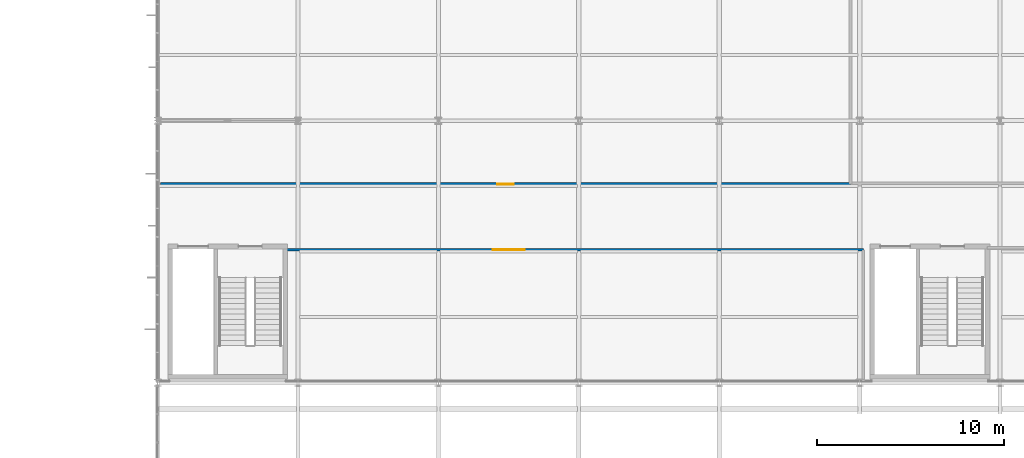
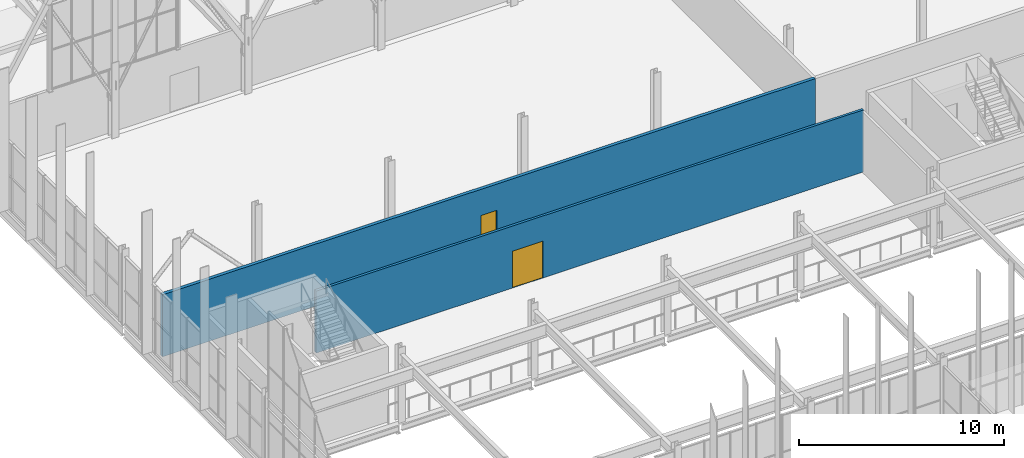
# One storey, part 308 of 324: 2 doors, 2 walls, 2 openings.
"""IFC4 building model written with IfcOpenShell, lengths in metres."""

from ifc_helpers import new_model, si_unit, direction, frame, frame_2d, origin, place, context, subcontext, project, spatial, rectangle, extrude, material, layer, layer_set, type_object, element, fill, save


model = new_model("IFC4")

# Units and contexts
model_context = context("Model", 3, precision=1e-05, world=origin(), true_north=direction((0.0, 1.0)))
body_context = subcontext(model_context, "Body", "Model", "MODEL_VIEW")
ifc_project = project(units=[si_unit("LENGTHUNIT", "METRE"), si_unit("AREAUNIT", "SQUARE_METRE"), si_unit("VOLUMEUNIT", "CUBIC_METRE"), si_unit("PLANEANGLEUNIT", "RADIAN"), si_unit("MASSUNIT", "GRAM", prefix="KILO")], contexts=[model_context])

# Site, building, storey
site_placement = place(None, origin())
site = spatial("IfcSite", under=ifc_project, at=site_placement, CompositionType="ELEMENT")
building_placement = place(site_placement, origin())
building = spatial("IfcBuilding", under=site, at=building_placement, Name="Solvenia Promenade Tram Depot", CompositionType="ELEMENT")
storey_placement = place(building_placement, frame((0.0, 0.0, 4.5)))
storey = spatial("IfcBuildingStorey", under=building, at=storey_placement, Name="L01", CompositionType="ELEMENT", Elevation=4.5)

# Wall, opening, door
ifc_material_1 = material(Name="Concrete blockwork masonry", Category="masonry")
ifc_layer_1 = layer(ifc_material_1, 0.14501953125, Name="Concrete blockwork masonry", Category="masonry")
ifc_layer_set_1 = layer_set([ifc_layer_1], Name="Concrete blockwork masonry")
wall_type_1 = type_object("IfcWallType", Name="Wall-Masonry-145", PredefinedType="PARTITIONING", material=ifc_layer_set_1)
wall_1_placement = place(storey_placement, frame((111.824951171875, 45.10009765625, 0.0), z_axis=(0.0, 0.0, 1.0), x_axis=(1.0, 0.0, 0.0)))
wall_1 = element("IfcWall", 1, at=wall_1_placement, inside=storey, type_object=wall_type_1, Name="Component Overhaul Workshop Partition WP-L01-054", PredefinedType="PARTITIONING", context=body_context, shape_type="SweptSolid", body=[
    extrude(rectangle(XDim=30.875, YDim=0.14501953125, at=frame_2d((15.4375, 0.0))), origin(), (0.0, 0.0, 1.0), 3.699951171875),
])
opening_1_placement = place(wall_1_placement, frame((11.0791015625, 0.0, 0.0)))
opening_1 = element("IfcOpeningElement", 2, at=opening_1_placement, cuts=wall_1, Name="Opening DR-32", PredefinedType="OPENING", context=body_context, shape_type="SweptSolid", body=[
    extrude(rectangle(XDim=1.719970703125, YDim=2.199951171875, at=frame_2d((0.85986328125, 1.10009765625))), frame((0.0, 0.08251953125, 0.0), z_axis=(0.0, -1.0, 0.0), x_axis=(1.0, 0.0, 0.0)), (0.0, 0.0, 1.0), 0.1650390625),
])
ifc_material_2 = material(Name="Galvanized painted sheet steel", Category="steel")
door_type_1 = type_object("IfcDoorType", Name="Door-Room-1720x2200", OperationType="NOTDEFINED", PredefinedType="DOOR", material=ifc_material_2)
door_1_placement = place(opening_1_placement, origin())
door_1 = element("IfcDoor", 3, at=door_1_placement, inside=storey, type_object=door_type_1, Name="Door to Component Overhaul Workshop", OperationType="SINGLE_SWING_RIGHT", OverallHeight=2.199951171875, OverallWidth=1.719970703125, PredefinedType="DOOR", context=body_context, shape_type="SweptSolid", body=[
    extrude(rectangle(XDim=1.719970703125, YDim=2.199951171875, at=frame_2d((0.85986328125, 1.10009765625))), frame((0.0, 0.02490234375, 0.0), z_axis=(0.0, -1.0, 0.0), x_axis=(1.0, 0.0, 0.0)), (0.0, 0.0, 1.0), 0.050048828125),
])
fill(opening_1, door_1)

ifc_layer_2 = layer(ifc_material_1, 0.18505859375, Name="Concrete blockwork masonry", Category="masonry")
ifc_layer_set_2 = layer_set([ifc_layer_2], Name="Concrete blockwork masonry")
wall_type_2 = type_object("IfcWallType", Name="Wall-Masonry-185", PredefinedType="PARTITIONING", material=ifc_layer_set_2)
wall_2_placement = place(storey_placement, frame((105.159912109375, 48.60009765625, 0.0), z_axis=(0.0, 0.0, 1.0), x_axis=(1.0, 0.0, 0.0)))
wall_2 = element("IfcWall", 4, at=wall_2_placement, inside=storey, type_object=wall_type_2, Name="Traction Electronics Workshop Partition WP-L01-061", PredefinedType="PARTITIONING", context=body_context, shape_type="SweptSolid", body=[
    extrude(rectangle(XDim=36.840087890625, YDim=0.18505859375, at=frame_2d((18.419921875, 0.0))), origin(), (0.0, 0.0, 1.0), 3.699951171875),
])
opening_2_placement = place(wall_2_placement, frame((17.97509765625, 0.0, 0.0)))
opening_2 = element("IfcOpeningElement", 5, at=opening_2_placement, cuts=wall_2, Name="Opening DR-36", PredefinedType="OPENING", context=body_context, shape_type="SweptSolid", body=[
    extrude(rectangle(XDim=0.889892578125, YDim=2.139892578125, at=frame_2d((0.44482421875, 1.06982421875))), frame((0.0, 0.1025390625, 0.0), z_axis=(0.0, -1.0, 0.0), x_axis=(1.0, 0.0, 0.0)), (0.0, 0.0, 1.0), 0.205078125),
])
door_type_2 = type_object("IfcDoorType", Name="Door-Room-890x2140", OperationType="NOTDEFINED", PredefinedType="DOOR", material=ifc_material_2)
door_2_placement = place(opening_2_placement, origin())
door_2 = element("IfcDoor", 6, at=door_2_placement, inside=storey, type_object=door_type_2, Name="Door to Traction Electronics Workshop", OperationType="SINGLE_SWING_RIGHT", OverallHeight=2.139892578125, OverallWidth=0.889892578125, PredefinedType="DOOR", context=body_context, shape_type="SweptSolid", body=[
    extrude(rectangle(XDim=0.889892578125, YDim=2.139892578125, at=frame_2d((0.44482421875, 1.06982421875))), frame((0.0, 0.02490234375, 0.0), z_axis=(0.0, -1.0, 0.0), x_axis=(1.0, 0.0, 0.0)), (0.0, 0.0, 1.0), 0.050048828125),
])
fill(opening_2, door_2)

save(model, "model.ifc")
